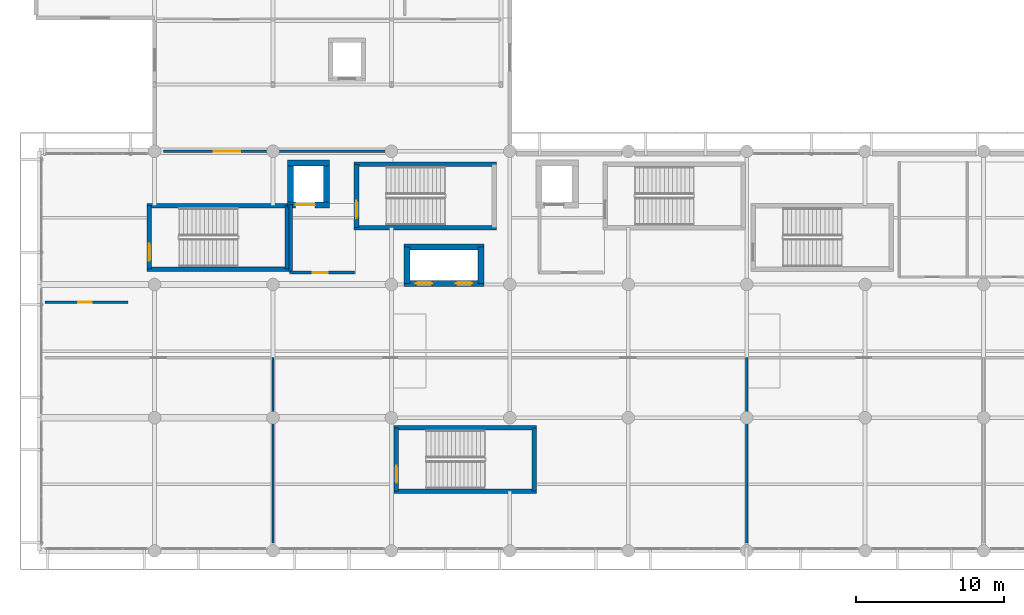
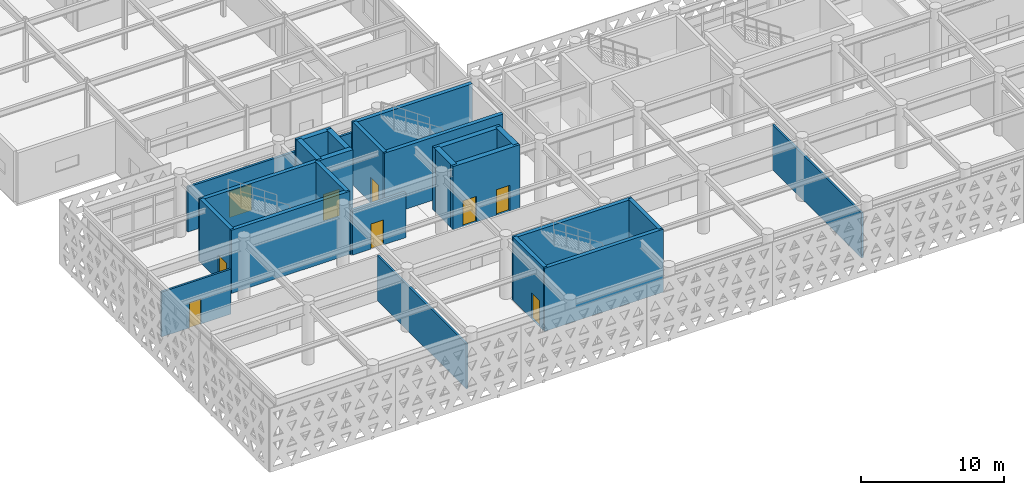
# One storey, part 60 of 84: 25 walls, 9 doors, 9 openings.
"""IFC4 building model written with IfcOpenShell, lengths in metres."""

from ifc_helpers import new_model, si_unit, direction, frame, frame_2d, origin, place, context, subcontext, project, spatial, rectangle, extrude, material, layer, layer_set, type_object, element, fill, save


model = new_model("IFC4")

# Units and contexts
model_context = context("Model", 3, precision=1e-05, world=origin(), true_north=direction((0.0, 1.0)))
body_context = subcontext(model_context, "Body", "Model", "MODEL_VIEW")
ifc_project = project(units=[si_unit("LENGTHUNIT", "METRE"), si_unit("AREAUNIT", "SQUARE_METRE"), si_unit("VOLUMEUNIT", "CUBIC_METRE"), si_unit("PLANEANGLEUNIT", "RADIAN"), si_unit("MASSUNIT", "GRAM", prefix="KILO")], contexts=[model_context])

# Site, building, storey
site_placement = place(None, origin())
site = spatial("IfcSite", under=ifc_project, at=site_placement, CompositionType="ELEMENT")
building_placement = place(site_placement, origin())
building = spatial("IfcBuilding", under=site, at=building_placement, Name="Tlacozan Convention Centre", CompositionType="ELEMENT")
storey_placement = place(building_placement, frame((0.0, 0.0, 6.0)))
storey = spatial("IfcBuildingStorey", under=building, at=storey_placement, Name="L01", CompositionType="ELEMENT", Elevation=6.0)

# Wall, opening, door
ifc_material_1 = material(Name="Concrete C40/50", Category="concrete")
ifc_layer_1 = layer(ifc_material_1, 0.409912109375)
ifc_layer_set_1 = layer_set([ifc_layer_1], Name="Concrete C40/50")
wall_type_1 = type_object("IfcWallType", Name="Core Shear Wall RC 410", PredefinedType="SHEAR", material=ifc_layer_set_1)
wall_1_placement = place(storey_placement, frame((16.97509765625, 23.3798828125, 0.0), z_axis=(0.0, 0.0, 1.0), x_axis=(1.0, 0.0, 0.0)))
wall_1 = element("IfcWall", 1, at=wall_1_placement, inside=storey, type_object=wall_type_1, Name="L01 Core Shear Wall RC 410 35", PredefinedType="SHEAR", context=body_context, shape_type="SweptSolid", body=[
    extrude(rectangle(XDim=2.849853515625, YDim=0.409912109375, at=frame_2d((1.4248046875, 0.0))), origin(), (0.0, 0.0, 1.0), 5.39990234375),
])
opening_1_placement = place(wall_1_placement, frame((0.550048828125, 0.0, 0.0)))
opening_1 = element("IfcOpeningElement", 2, at=opening_1_placement, cuts=wall_1, Name="Opening LD-02", PredefinedType="OPENING", context=body_context, shape_type="SweptSolid", body=[
    extrude(rectangle(XDim=1.300048828125, YDim=2.25, at=frame_2d((0.64990234375, 1.125))), frame((0.0, 0.21484375, 0.0), z_axis=(0.0, -1.0, 0.0), x_axis=(1.0, 0.0, 0.0)), (0.0, 0.0, 1.0), 0.429931640625),
])
ifc_material_2 = material(Name="Brushed Stainless Steel Sliding Landing Door", Category="steel")
door_type_1 = type_object("IfcDoorType", Name="Firefighting Lift Sliding Door 1300x2250", OperationType="DOUBLE_DOOR_SLIDING", PredefinedType="DOOR", material=ifc_material_2)
door_1_placement = place(opening_1_placement, origin())
door_1 = element("IfcDoor", 3, at=door_1_placement, inside=storey, type_object=door_type_1, Name="L01 Firefighting Lift FL-01 Landing Door", OperationType="DOUBLE_DOOR_SLIDING", OverallHeight=2.25, OverallWidth=1.300048828125, PredefinedType="DOOR", context=body_context, shape_type="SweptSolid", body=[
    extrude(rectangle(XDim=1.300048828125, YDim=2.25, at=frame_2d((0.64990234375, 1.125))), frame((0.0, 0.02490234375, 0.0), z_axis=(0.0, -1.0, 0.0), x_axis=(1.0, 0.0, 0.0)), (0.0, 0.0, 1.0), 0.050048828125),
])
fill(opening_1, door_1)

# Walls
wall_2_placement = place(storey_placement, frame((16.97509765625, 26.219970703125, 0.0), z_axis=(0.0, 0.0, 1.0), x_axis=(1.0, 0.0, 0.0)))
element("IfcWall", 4, at=wall_2_placement, inside=storey, type_object=wall_type_1, Name="L01 Core Shear Wall RC 410 36", PredefinedType="SHEAR", context=body_context, shape_type="SweptSolid", body=[
    extrude(rectangle(XDim=2.849853515625, YDim=0.409912109375, at=frame_2d((1.4248046875, 0.0))), origin(), (0.0, 0.0, 1.0), 5.39990234375),
])
for number, where, z_axis, x_axis, name in (
    (5, (17.179931640625, 23.3798828125, 0.0), (0.0, 0.0, 1.0), (0.0, 1.0, 0.0), "L01 Core Shear Wall RC 410 37"),
    (6, (19.6201171875, 23.3798828125, 0.0), (0.0, 0.0, 1.0), (0.0, 1.0, 0.0), "L01 Core Shear Wall RC 410 38"),
):
    element("IfcWall", number, at=place(storey_placement, frame(where, z_axis=z_axis, x_axis=x_axis)), inside=storey, type_object=wall_type_1, Name=name, PredefinedType="SHEAR", context=body_context, shape_type="SweptSolid", body=[
        extrude(rectangle(XDim=2.840087890625, YDim=0.409912109375, at=frame_2d((1.419921875, 0.0))), origin(), (0.0, 0.0, 1.0), 5.39990234375),
    ])

# Wall, openings, doors
wall_3_placement = place(storey_placement, frame((24.85498046875, 18.06005859375, 0.0), z_axis=(0.0, 0.0, 1.0), x_axis=(1.0, 0.0, 0.0)))
wall_3 = element("IfcWall", 7, at=wall_3_placement, inside=storey, type_object=wall_type_1, Name="L01 Core Shear Wall RC 410 39", PredefinedType="SHEAR", context=body_context, shape_type="SweptSolid", body=[
    extrude(rectangle(XDim=5.39013671875, YDim=0.409912109375, at=frame_2d((2.695068359375, 0.0))), origin(), (0.0, 0.0, 1.0), 5.39990234375),
])
opening_2_placement = place(wall_3_placement, frame((0.794921875, 0.0, 0.0)))
opening_2 = element("IfcOpeningElement", 8, at=opening_2_placement, cuts=wall_3, Name="Opening LD-01", PredefinedType="OPENING", context=body_context, shape_type="SweptSolid", body=[
    extrude(rectangle(XDim=1.10009765625, YDim=2.199951171875, at=frame_2d((0.550048828125, 1.10009765625))), frame((0.0, 0.21484375, 0.0), z_axis=(0.0, -1.0, 0.0), x_axis=(1.0, 0.0, 0.0)), (0.0, 0.0, 1.0), 0.429931640625),
])
opening_3_placement = place(wall_3_placement, frame((3.4951171875, 0.0, 0.0)))
opening_3 = element("IfcOpeningElement", 9, at=opening_3_placement, cuts=wall_3, Name="Opening LD-01", PredefinedType="OPENING", context=body_context, shape_type="SweptSolid", body=[
    extrude(rectangle(XDim=1.10009765625, YDim=2.199951171875, at=frame_2d((0.550048828125, 1.10009765625))), frame((0.0, 0.21484375, 0.0), z_axis=(0.0, -1.0, 0.0), x_axis=(1.0, 0.0, 0.0)), (0.0, 0.0, 1.0), 0.429931640625),
])
door_type_2 = type_object("IfcDoorType", Name="Lift Sliding Landing Door 1100x2200", OperationType="DOUBLE_DOOR_SLIDING", PredefinedType="DOOR", material=ifc_material_2)
door_2_placement = place(opening_2_placement, origin())
door_2 = element("IfcDoor", 10, at=door_2_placement, inside=storey, type_object=door_type_2, Name="L01 Lift PL-01 Landing Door", OperationType="DOUBLE_DOOR_SLIDING", OverallHeight=2.199951171875, OverallWidth=1.10009765625, PredefinedType="DOOR", context=body_context, shape_type="SweptSolid", body=[
    extrude(rectangle(XDim=1.10009765625, YDim=2.199951171875, at=frame_2d((0.550048828125, 1.10009765625))), frame((0.0, 0.02490234375, 0.0), z_axis=(0.0, -1.0, 0.0), x_axis=(1.0, 0.0, 0.0)), (0.0, 0.0, 1.0), 0.050048828125),
])
fill(opening_2, door_2)
door_3_placement = place(opening_3_placement, origin())
door_3 = element("IfcDoor", 11, at=door_3_placement, inside=storey, type_object=door_type_2, Name="L01 Lift PL-02 Landing Door", OperationType="DOUBLE_DOOR_SLIDING", OverallHeight=2.199951171875, OverallWidth=1.10009765625, PredefinedType="DOOR", context=body_context, shape_type="SweptSolid", body=[
    extrude(rectangle(XDim=1.10009765625, YDim=2.199951171875, at=frame_2d((0.550048828125, 1.10009765625))), frame((0.0, 0.02490234375, 0.0), z_axis=(0.0, -1.0, 0.0), x_axis=(1.0, 0.0, 0.0)), (0.0, 0.0, 1.0), 0.050048828125),
])
fill(opening_3, door_3)

# Walls
wall_4_placement = place(storey_placement, frame((24.85498046875, 20.5400390625, 0.0), z_axis=(0.0, 0.0, 1.0), x_axis=(1.0, 0.0, 0.0)))
element("IfcWall", 12, at=wall_4_placement, inside=storey, type_object=wall_type_1, Name="L01 Core Shear Wall RC 410 40", PredefinedType="SHEAR", context=body_context, shape_type="SweptSolid", body=[
    extrude(rectangle(XDim=5.39013671875, YDim=0.409912109375, at=frame_2d((2.695068359375, 0.0))), origin(), (0.0, 0.0, 1.0), 5.39990234375),
])
for number, where, z_axis, x_axis, name in (
    (13, (25.06005859375, 18.06005859375, 0.0), (0.0, 0.0, 1.0), (0.0, 1.0, 0.0), "L01 Core Shear Wall RC 410 41"),
    (14, (30.0400390625, 18.06005859375, 0.0), (0.0, 0.0, 1.0), (0.0, 1.0, 0.0), "L01 Core Shear Wall RC 410 42"),
):
    element("IfcWall", number, at=place(storey_placement, frame(where, z_axis=z_axis, x_axis=x_axis)), inside=storey, type_object=wall_type_1, Name=name, PredefinedType="SHEAR", context=body_context, shape_type="SweptSolid", body=[
        extrude(rectangle(XDim=2.47998046875, YDim=0.409912109375, at=frame_2d((1.239990234375, 0.0))), origin(), (0.0, 0.0, 1.0), 5.39990234375),
    ])

# Wall, opening, door
ifc_material_3 = material(Name="Fire-Rated Gypsum Stud Partition Assembly")
ifc_layer_2 = layer(ifc_material_3, 0.179931640625)
ifc_layer_set_2 = layer_set([ifc_layer_2], Name="Fire-Rated Gypsum Stud Partition Assembly")
wall_type_2 = type_object("IfcWallType", Name="Corridor Rated Partition 180", PredefinedType="PARTITIONING", material=ifc_layer_set_2)
wall_5_placement = place(storey_placement, frame((8.60009765625, 27.0, 0.0), z_axis=(0.0, 0.0, 1.0), x_axis=(1.0, 0.0, 0.0)))
wall_5 = element("IfcWall", 15, at=wall_5_placement, inside=storey, type_object=wall_type_2, Name="L01 Corridor Rated Partition 180 627", PredefinedType="PARTITIONING", context=body_context, shape_type="SweptSolid", body=[
    extrude(rectangle(XDim=22.7998046875, YDim=0.179931640625, at=frame_2d((11.39990234375, 0.0))), origin(), (0.0, 0.0, 1.0), 3.85009765625),
])
opening_4_placement = place(wall_5_placement, frame((3.39990234375, 0.0, 0.0)))
opening_4 = element("IfcOpeningElement", 16, at=opening_4_placement, cuts=wall_5, Name="Opening FD-03", PredefinedType="OPENING", context=body_context, shape_type="SweptSolid", body=[
    extrude(rectangle(XDim=1.800048828125, YDim=2.25, at=frame_2d((0.89990234375, 1.125))), frame((0.0, 0.099853515625, 0.0), z_axis=(0.0, -1.0, 0.0), x_axis=(1.0, 0.0, 0.0)), (0.0, 0.0, 1.0), 0.199951171875),
])
ifc_material_4 = material(Name="Fire-Rated Insulated Steel Door Leaf", Category="steel")
door_type_3 = type_object("IfcDoorType", Name="Fire Door Lobby Double 1800x2250 FD90", OperationType="DOUBLE_DOOR_SINGLE_SWING", PredefinedType="DOOR", material=ifc_material_4)
door_4_placement = place(opening_4_placement, origin())
door_4 = element("IfcDoor", 17, at=door_4_placement, inside=storey, type_object=door_type_3, Name="L01 Fire Door Lobby Double 1800x2250 FD90 229", OperationType="DOUBLE_DOOR_SINGLE_SWING", OverallHeight=2.25, OverallWidth=1.800048828125, PredefinedType="DOOR", context=body_context, shape_type="SweptSolid", body=[
    extrude(rectangle(XDim=1.800048828125, YDim=2.25, at=frame_2d((0.89990234375, 1.125))), frame((0.0, 0.02490234375, 0.0), z_axis=(0.0, -1.0, 0.0), x_axis=(1.0, 0.0, 0.0)), (0.0, 0.0, 1.0), 0.050048828125),
])
fill(opening_4, door_4)

ifc_layer_3 = layer(ifc_material_3, 0.2099609375)
ifc_layer_set_3 = layer_set([ifc_layer_3], Name="Fire-Rated Gypsum Stud Partition Assembly")
wall_type_3 = type_object("IfcWallType", Name="Firefighting Lobby Rated Wall 210", PredefinedType="PARTITIONING", material=ifc_layer_set_3)
wall_6_placement = place(storey_placement, frame((17.199951171875, 18.800048828125, 0.0), z_axis=(0.0, 0.0, 1.0), x_axis=(1.0, 0.0, 0.0)))
wall_6 = element("IfcWall", 18, at=wall_6_placement, inside=storey, type_object=wall_type_3, Name="L01 Firefighting Lobby Rated Wall 210 33", PredefinedType="PARTITIONING", context=body_context, shape_type="SweptSolid", body=[
    extrude(rectangle(XDim=4.300048828125, YDim=0.2099609375, at=frame_2d((2.14990234375, 0.0))), origin(), (0.0, 0.0, 1.0), 3.85009765625),
])
opening_5_placement = place(wall_6_placement, frame((1.5, 0.0, 0.0)))
opening_5 = element("IfcOpeningElement", 19, at=opening_5_placement, cuts=wall_6, Name="Opening FD-01", PredefinedType="OPENING", context=body_context, shape_type="SweptSolid", body=[
    extrude(rectangle(XDim=1.0, YDim=2.14990234375, at=frame_2d((0.5, 1.074951171875))), frame((0.0, 0.114990234375, 0.0), z_axis=(0.0, -1.0, 0.0), x_axis=(1.0, 0.0, 0.0)), (0.0, 0.0, 1.0), 0.22998046875),
])
door_type_4 = type_object("IfcDoorType", Name="Fire Door Single 1000x2150 FD90", OperationType="NOTDEFINED", PredefinedType="DOOR", material=ifc_material_4)
door_5_placement = place(opening_5_placement, origin())
door_5 = element("IfcDoor", 20, at=door_5_placement, inside=storey, type_object=door_type_4, Name="L01 CORE-1 Firefighting Lobby Entry Door", OperationType="SINGLE_SWING_LEFT", OverallHeight=2.14990234375, OverallWidth=1.0, PredefinedType="DOOR", context=body_context, shape_type="SweptSolid", body=[
    extrude(rectangle(XDim=1.0, YDim=2.14990234375, at=frame_2d((0.5, 1.074951171875))), frame((0.0, 0.02490234375, 0.0), z_axis=(0.0, -1.0, 0.0), x_axis=(1.0, 0.0, 0.0)), (0.0, 0.0, 1.0), 0.050048828125),
])
fill(opening_5, door_5)

# Walls
wall_7_placement = place(storey_placement, frame((17.199951171875, 18.800048828125, 0.0), z_axis=(0.0, 0.0, 1.0), x_axis=(0.0, 1.0, 0.0)))
element("IfcWall", 21, at=wall_7_placement, inside=storey, type_object=wall_type_3, Name="L01 Firefighting Lobby Rated Wall 210 34", PredefinedType="PARTITIONING", context=body_context, shape_type="SweptSolid", body=[
    extrude(rectangle(XDim=4.599853515625, YDim=0.2099609375, at=frame_2d((2.2998046875, 0.0))), origin(), (0.0, 0.0, 1.0), 3.85009765625),
])
ifc_material_5 = material(Name="Acoustic Double-Stud Partition Assembly")
ifc_layer_4 = layer(ifc_material_5, 0.159912109375)
ifc_layer_set_4 = layer_set([ifc_layer_4], Name="Acoustic Double-Stud Partition Assembly")
wall_type_4 = type_object("IfcWallType", Name="Meeting Acoustic Partition 160", PredefinedType="PARTITIONING", material=ifc_layer_set_4)
for number, where, z_axis, x_axis, name in (
    (22, (16.0, 0.550048828125, 0.0), (0.0, 0.0, 1.0), (0.0, 1.0, 0.0), "L01 Meeting Acoustic Partition 160 586"),
    (23, (48.0, 0.550048828125, 0.0), (0.0, 0.0, 1.0), (0.0, 1.0, 0.0), "L01 Meeting Acoustic Partition 160 587"),
):
    element("IfcWall", number, at=place(storey_placement, frame(where, z_axis=z_axis, x_axis=x_axis)), inside=storey, type_object=wall_type_4, Name=name, PredefinedType="PARTITIONING", context=body_context, shape_type="SweptSolid", body=[
        extrude(rectangle(XDim=12.5, YDim=0.159912109375, at=frame_2d((6.25, 0.0))), origin(), (0.0, 0.0, 1.0), 3.85009765625),
    ])

# Wall, opening, door
wall_8_placement = place(storey_placement, frame((0.60009765625, 16.800048828125, 0.0), z_axis=(0.0, 0.0, 1.0), x_axis=(1.0, 0.0, 0.0)))
wall_8 = element("IfcWall", 24, at=wall_8_placement, inside=storey, type_object=wall_type_4, Name="L01 Meeting Acoustic Partition 160 591", PredefinedType="PARTITIONING", context=body_context, shape_type="SweptSolid", body=[
    extrude(rectangle(XDim=5.599853515625, YDim=0.159912109375, at=frame_2d((2.7998046875, 0.0))), origin(), (0.0, 0.0, 1.0), 3.85009765625),
])
opening_6_placement = place(wall_8_placement, frame((2.25, 0.0, 0.0)))
opening_6 = element("IfcOpeningElement", 25, at=opening_6_placement, cuts=wall_8, Name="Opening ID-14", PredefinedType="OPENING", context=body_context, shape_type="SweptSolid", body=[
    extrude(rectangle(XDim=0.919921875, YDim=2.14990234375, at=frame_2d((0.4599609375, 1.074951171875))), frame((0.0, 0.08984375, 0.0), z_axis=(0.0, -1.0, 0.0), x_axis=(1.0, 0.0, 0.0)), (0.0, 0.0, 1.0), 0.179931640625),
])
ifc_material_6 = material(Name="Acoustic Solid-Core Oak Veneer Door")
door_type_5 = type_object("IfcDoorType", Name="Interpretation Booth Door 920x2150", OperationType="NOTDEFINED", PredefinedType="DOOR", material=ifc_material_6)
door_6_placement = place(opening_6_placement, origin())
door_6 = element("IfcDoor", 26, at=door_6_placement, inside=storey, type_object=door_type_5, Name="L01 Interpretation Booth Door 920x2150 184", OperationType="SINGLE_SWING_LEFT", OverallHeight=2.14990234375, OverallWidth=0.919921875, PredefinedType="DOOR", context=body_context, shape_type="SweptSolid", body=[
    extrude(rectangle(XDim=0.919921875, YDim=2.14990234375, at=frame_2d((0.4599609375, 1.074951171875))), frame((0.0, 0.02490234375, 0.0), z_axis=(0.0, -1.0, 0.0), x_axis=(1.0, 0.0, 0.0)), (0.0, 0.0, 1.0), 0.050048828125),
])
fill(opening_6, door_6)

# Walls
ifc_layer_5 = layer(ifc_material_1, 0.31005859375)
ifc_layer_set_5 = layer_set([ifc_layer_5], Name="Concrete C40/50")
wall_type_5 = type_object("IfcWallType", Name="Stair Shaft Shear Wall RC 310", PredefinedType="SHEAR", material=ifc_layer_set_5)
for number, where, z_axis, x_axis, name in (
    (27, (21.485107421875, 21.840087890625, 0.0), (0.0, 0.0, 1.0), (1.0, 0.0, 0.0), "L01 Stair Shaft Shear Wall RC 310 29"),
    (28, (21.485107421875, 26.1201171875, 0.0), (0.0, 0.0, 1.0), (1.0, 0.0, 0.0), "L01 Stair Shaft Shear Wall RC 310 30"),
):
    element("IfcWall", number, at=place(storey_placement, frame(where, z_axis=z_axis, x_axis=x_axis)), inside=storey, type_object=wall_type_5, Name=name, PredefinedType="SHEAR", context=body_context, shape_type="SweptSolid", body=[
        extrude(rectangle(XDim=9.6298828125, YDim=0.31005859375, at=frame_2d((4.81494140625, 0.0))), origin(), (0.0, 0.0, 1.0), 5.39990234375),
    ])

# Wall, opening, door
wall_9_placement = place(storey_placement, frame((21.639892578125, 21.840087890625, 0.0), z_axis=(0.0, 0.0, 1.0), x_axis=(0.0, 1.0, 0.0)))
wall_9 = element("IfcWall", 29, at=wall_9_placement, inside=storey, type_object=wall_type_5, Name="L01 Stair Shaft Shear Wall RC 310 31", PredefinedType="SHEAR", context=body_context, shape_type="SweptSolid", body=[
    extrude(rectangle(XDim=4.280029296875, YDim=0.31005859375, at=frame_2d((2.14013671875, 0.0))), origin(), (0.0, 0.0, 1.0), 5.39990234375),
])
opening_7_placement = place(wall_9_placement, frame((0.64990234375, 0.0, 0.0)))
opening_7 = element("IfcOpeningElement", 30, at=opening_7_placement, cuts=wall_9, Name="Opening FD-02", PredefinedType="OPENING", context=body_context, shape_type="SweptSolid", body=[
    extrude(rectangle(XDim=1.14990234375, YDim=2.199951171875, at=frame_2d((0.574951171875, 1.10009765625))), frame((0.0, 0.1650390625, 0.0), z_axis=(0.0, -1.0, 0.0), x_axis=(1.0, 0.0, 0.0)), (0.0, 0.0, 1.0), 0.330078125),
])
door_type_6 = type_object("IfcDoorType", Name="Fire Door Stair 1150x2200 FD90", OperationType="NOTDEFINED", PredefinedType="DOOR", material=ifc_material_4)
door_7_placement = place(opening_7_placement, origin())
door_7 = element("IfcDoor", 31, at=door_7_placement, inside=storey, type_object=door_type_6, Name="L01 Stair ST-01 Fire Door", OperationType="SINGLE_SWING_RIGHT", OverallHeight=2.199951171875, OverallWidth=1.14990234375, PredefinedType="DOOR", context=body_context, shape_type="SweptSolid", body=[
    extrude(rectangle(XDim=1.14990234375, YDim=2.199951171875, at=frame_2d((0.574951171875, 1.10009765625))), frame((0.0, 0.02490234375, 0.0), z_axis=(0.0, -1.0, 0.0), x_axis=(1.0, 0.0, 0.0)), (0.0, 0.0, 1.0), 0.050048828125),
])
fill(opening_7, door_7)

# Walls
for number, where, z_axis, x_axis, name in (
    (32, (7.485107421875, 19.0400390625, 0.0), (0.0, 0.0, 1.0), (1.0, 0.0, 0.0), "L01 Stair Shaft Shear Wall RC 310 293"),
    (33, (7.485107421875, 23.320068359375, 0.0), (0.0, 0.0, 1.0), (1.0, 0.0, 0.0), "L01 Stair Shaft Shear Wall RC 310 294"),
):
    element("IfcWall", number, at=place(storey_placement, frame(where, z_axis=z_axis, x_axis=x_axis)), inside=storey, type_object=wall_type_5, Name=name, PredefinedType="SHEAR", context=body_context, shape_type="SweptSolid", body=[
        extrude(rectangle(XDim=9.6298828125, YDim=0.31005859375, at=frame_2d((4.81494140625, 0.0))), origin(), (0.0, 0.0, 1.0), 5.39990234375),
    ])

# Wall, opening, door
wall_10_placement = place(storey_placement, frame((7.639892578125, 19.0400390625, 0.0), z_axis=(0.0, 0.0, 1.0), x_axis=(0.0, 1.0, 0.0)))
wall_10 = element("IfcWall", 34, at=wall_10_placement, inside=storey, type_object=wall_type_5, Name="L01 Stair Shaft Shear Wall RC 310 295", PredefinedType="SHEAR", context=body_context, shape_type="SweptSolid", body=[
    extrude(rectangle(XDim=4.280029296875, YDim=0.31005859375, at=frame_2d((2.14013671875, 0.0))), origin(), (0.0, 0.0, 1.0), 5.39990234375),
])
opening_8_placement = place(wall_10_placement, frame((0.550048828125, 0.0, 0.0)))
opening_8 = element("IfcOpeningElement", 35, at=opening_8_placement, cuts=wall_10, Name="Opening FD-02", PredefinedType="OPENING", context=body_context, shape_type="SweptSolid", body=[
    extrude(rectangle(XDim=1.14990234375, YDim=2.199951171875, at=frame_2d((0.574951171875, 1.10009765625))), frame((0.0, 0.1650390625, 0.0), z_axis=(0.0, -1.0, 0.0), x_axis=(1.0, 0.0, 0.0)), (0.0, 0.0, 1.0), 0.330078125),
])
door_8_placement = place(opening_8_placement, origin())
door_8 = element("IfcDoor", 36, at=door_8_placement, inside=storey, type_object=door_type_6, Name="L01 Stair ST-13 Access Door", OperationType="SINGLE_SWING_RIGHT", OverallHeight=2.199951171875, OverallWidth=1.14990234375, PredefinedType="DOOR", context=body_context, shape_type="SweptSolid", body=[
    extrude(rectangle(XDim=1.14990234375, YDim=2.199951171875, at=frame_2d((0.574951171875, 1.10009765625))), frame((0.0, 0.02490234375, 0.0), z_axis=(0.0, -1.0, 0.0), x_axis=(1.0, 0.0, 0.0)), (0.0, 0.0, 1.0), 0.050048828125),
])
fill(opening_8, door_8)

# Walls
wall_11_placement = place(storey_placement, frame((16.9599609375, 19.0400390625, 0.0), z_axis=(0.0, 0.0, 1.0), x_axis=(0.0, 1.0, 0.0)))
element("IfcWall", 37, at=wall_11_placement, inside=storey, type_object=wall_type_5, Name="L01 Stair Shaft Shear Wall RC 310 296", PredefinedType="SHEAR", context=body_context, shape_type="SweptSolid", body=[
    extrude(rectangle(XDim=4.280029296875, YDim=0.31005859375, at=frame_2d((2.14013671875, 0.0))), origin(), (0.0, 0.0, 1.0), 5.39990234375),
])
for number, where, z_axis, x_axis, name in (
    (38, (24.18505859375, 4.0400390625, 0.0), (0.0, 0.0, 1.0), (1.0, 0.0, 0.0), "L01 Stair Shaft Shear Wall RC 310 361"),
    (39, (24.18505859375, 8.320068359375, 0.0), (0.0, 0.0, 1.0), (1.0, 0.0, 0.0), "L01 Stair Shaft Shear Wall RC 310 362"),
):
    element("IfcWall", number, at=place(storey_placement, frame(where, z_axis=z_axis, x_axis=x_axis)), inside=storey, type_object=wall_type_5, Name=name, PredefinedType="SHEAR", context=body_context, shape_type="SweptSolid", body=[
        extrude(rectangle(XDim=9.6298828125, YDim=0.31005859375, at=frame_2d((4.81494140625, 0.0))), origin(), (0.0, 0.0, 1.0), 5.39990234375),
    ])

# Wall, opening, door
wall_12_placement = place(storey_placement, frame((24.340087890625, 4.0400390625, 0.0), z_axis=(0.0, 0.0, 1.0), x_axis=(0.0, 1.0, 0.0)))
wall_12 = element("IfcWall", 40, at=wall_12_placement, inside=storey, type_object=wall_type_5, Name="L01 Stair Shaft Shear Wall RC 310 363", PredefinedType="SHEAR", context=body_context, shape_type="SweptSolid", body=[
    extrude(rectangle(XDim=4.280029296875, YDim=0.31005859375, at=frame_2d((2.14013671875, 0.0))), origin(), (0.0, 0.0, 1.0), 5.39990234375),
])
opening_9_placement = place(wall_12_placement, frame((0.550048828125, 0.0, 0.0)))
opening_9 = element("IfcOpeningElement", 41, at=opening_9_placement, cuts=wall_12, Name="Opening FD-02", PredefinedType="OPENING", context=body_context, shape_type="SweptSolid", body=[
    extrude(rectangle(XDim=1.14990234375, YDim=2.199951171875, at=frame_2d((0.574951171875, 1.10009765625))), frame((0.0, 0.1650390625, 0.0), z_axis=(0.0, -1.0, 0.0), x_axis=(1.0, 0.0, 0.0)), (0.0, 0.0, 1.0), 0.330078125),
])
door_9_placement = place(opening_9_placement, origin())
door_9 = element("IfcDoor", 42, at=door_9_placement, inside=storey, type_object=door_type_6, Name="L01 Stair ST-16 Access Door", OperationType="SINGLE_SWING_LEFT", OverallHeight=2.199951171875, OverallWidth=1.14990234375, PredefinedType="DOOR", context=body_context, shape_type="SweptSolid", body=[
    extrude(rectangle(XDim=1.14990234375, YDim=2.199951171875, at=frame_2d((0.574951171875, 1.10009765625))), frame((0.0, 0.02490234375, 0.0), z_axis=(0.0, -1.0, 0.0), x_axis=(1.0, 0.0, 0.0)), (0.0, 0.0, 1.0), 0.050048828125),
])
fill(opening_9, door_9)

# Wall
wall_13_placement = place(storey_placement, frame((33.659912109375, 4.0400390625, 0.0), z_axis=(0.0, 0.0, 1.0), x_axis=(0.0, 1.0, 0.0)))
element("IfcWall", 43, at=wall_13_placement, inside=storey, type_object=wall_type_5, Name="L01 Stair Shaft Shear Wall RC 310 364", PredefinedType="SHEAR", context=body_context, shape_type="SweptSolid", body=[
    extrude(rectangle(XDim=4.280029296875, YDim=0.31005859375, at=frame_2d((2.14013671875, 0.0))), origin(), (0.0, 0.0, 1.0), 5.39990234375),
])

save(model, "model.ifc")
